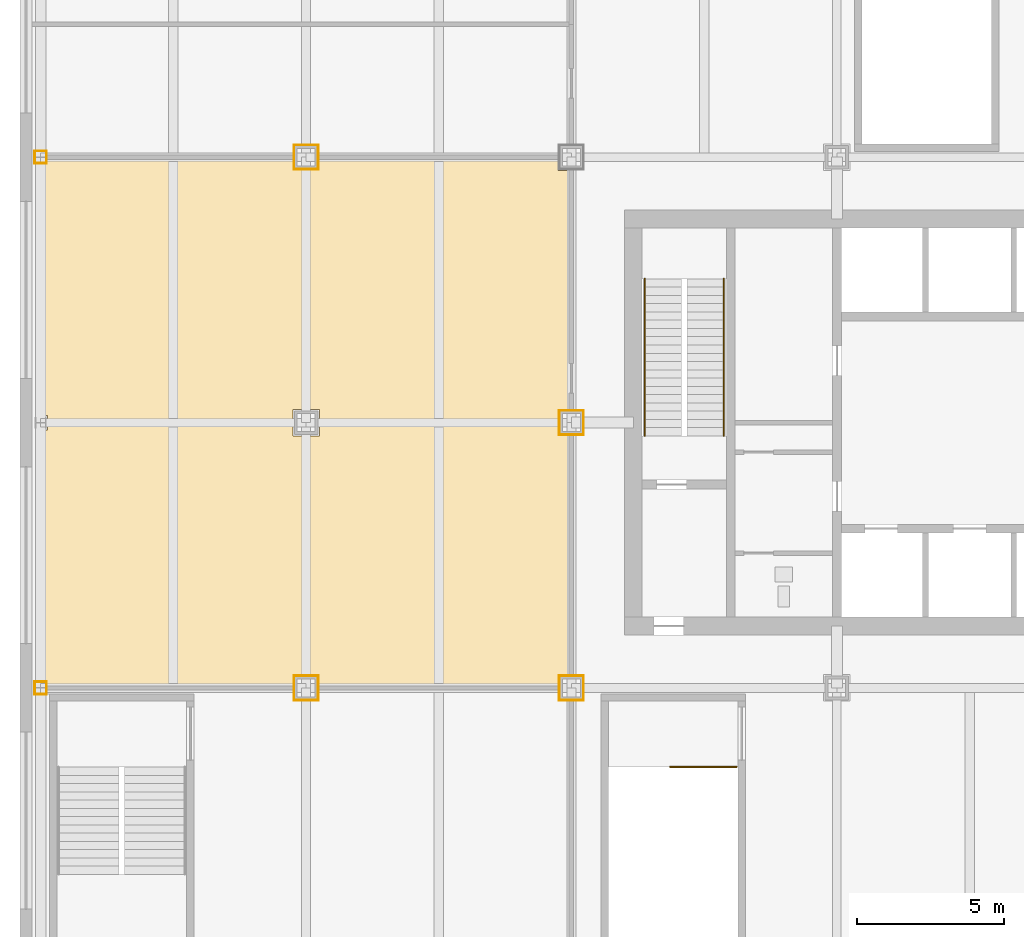
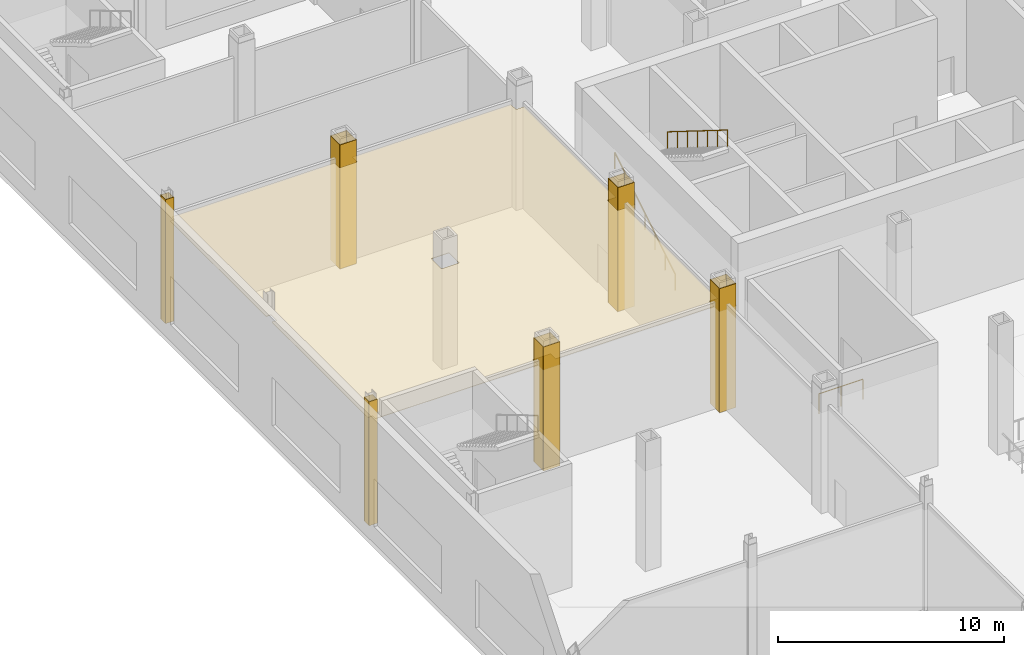
# One storey, part 24 of 32: 25 coverings, 3 railings.
"""IFC4 building model written with IfcOpenShell, lengths in metres."""

from ifc_helpers import new_model, si_unit, direction, frame, origin, origin_2d, place, context, subcontext, project, spatial, polyline, rectangle, circle, outline, extrude, material, layer, layer_set, type_object, element, save


model = new_model("IFC4")

# Units and contexts
model_context = context("Model", 3, precision=1e-05, world=origin(), true_north=direction((0.0, 1.0)))
body_context = subcontext(model_context, "Body", "Model", "MODEL_VIEW")
ifc_project = project(units=[si_unit("LENGTHUNIT", "METRE"), si_unit("AREAUNIT", "SQUARE_METRE"), si_unit("VOLUMEUNIT", "CUBIC_METRE"), si_unit("PLANEANGLEUNIT", "RADIAN"), si_unit("MASSUNIT", "GRAM", prefix="KILO")], contexts=[model_context])

# Site, building, storey
site_placement = place(None, origin())
site = spatial("IfcSite", under=ifc_project, at=site_placement, CompositionType="ELEMENT")
building_placement = place(site_placement, origin())
building = spatial("IfcBuilding", under=site, at=building_placement, Name="Loomwork Tower", CompositionType="ELEMENT")
storey_placement = place(building_placement, frame((0.0, 0.0, 16.0)))
storey = spatial("IfcBuildingStorey", under=building, at=storey_placement, Name="L03", CompositionType="ELEMENT", Elevation=16.0)

# Coverings
ifc_material_1 = material(Name="Two-hour fire-rated gypsum board casing")
ifc_layer_1 = layer(ifc_material_1, 0.02490234375)
ifc_layer_set_1 = layer_set([ifc_layer_1], Name="Column fire casing 25")
covering_type_1 = type_object("IfcCoveringType", Name="Column fire casing 25", PredefinedType="CLADDING", material=ifc_layer_set_1)
for number, where, z_axis, x_axis, name in (
    (1, (-9.0, 9.209228515625, 0.0), (0.0, 0.0, 1.0), (1.0, 0.0, 0.0), "Column casing -9 9 L03"),
    (2, (-9.0, 8.790771484375, 0.0), (0.0, 0.0, 1.0), (1.0, 0.0, 0.0), "Column casing -9 9 L03"),
):
    element("IfcCovering", number, at=place(storey_placement, frame(where, z_axis=z_axis, x_axis=x_axis)), inside=storey, type_object=covering_type_1, Name=name, PredefinedType="CLADDING", context=body_context, shape_type="SweptSolid", body=[
        extrude(rectangle(XDim=0.42578125, YDim=0.02490234375, at=origin_2d()), origin(), (0.0, 0.0, 1.0), 6.699951171875),
    ])
for number, where, z_axis, x_axis, name in (
    (3, (-8.799560546875, 9.0, 0.0), (0.0, 0.0, 1.0), (1.0, 0.0, 0.0), "Column casing -9 9 L03"),
    (4, (-9.200439453125, 9.0, 0.0), (0.0, 0.0, 1.0), (1.0, 0.0, 0.0), "Column casing -9 9 L03"),
):
    element("IfcCovering", number, at=place(storey_placement, frame(where, z_axis=z_axis, x_axis=x_axis)), inside=storey, type_object=covering_type_1, Name=name, PredefinedType="CLADDING", context=body_context, shape_type="SweptSolid", body=[
        extrude(rectangle(XDim=0.02490234375, YDim=0.393798828125, at=origin_2d()), origin(), (0.0, 0.0, 1.0), 6.699951171875),
    ])
for number, where, z_axis, x_axis, name in (
    (5, (-9.0, 27.20947265625, 0.0), (0.0, 0.0, 1.0), (1.0, 0.0, 0.0), "Column casing -9 27 L03"),
    (6, (-9.0, 26.79052734375, 0.0), (0.0, 0.0, 1.0), (1.0, 0.0, 0.0), "Column casing -9 27 L03"),
):
    element("IfcCovering", number, at=place(storey_placement, frame(where, z_axis=z_axis, x_axis=x_axis)), inside=storey, type_object=covering_type_1, Name=name, PredefinedType="CLADDING", context=body_context, shape_type="SweptSolid", body=[
        extrude(rectangle(XDim=0.42578125, YDim=0.02490234375, at=origin_2d()), origin(), (0.0, 0.0, 1.0), 6.699951171875),
    ])
for number, where, z_axis, x_axis, name in (
    (7, (-8.799560546875, 27.0, 0.0), (0.0, 0.0, 1.0), (1.0, 0.0, 0.0), "Column casing -9 27 L03"),
    (8, (-9.200439453125, 27.0, 0.0), (0.0, 0.0, 1.0), (1.0, 0.0, 0.0), "Column casing -9 27 L03"),
):
    element("IfcCovering", number, at=place(storey_placement, frame(where, z_axis=z_axis, x_axis=x_axis)), inside=storey, type_object=covering_type_1, Name=name, PredefinedType="CLADDING", context=body_context, shape_type="SweptSolid", body=[
        extrude(rectangle(XDim=0.02490234375, YDim=0.393798828125, at=origin_2d()), origin(), (0.0, 0.0, 1.0), 6.699951171875),
    ])
for number, where, z_axis, x_axis, name in (
    (9, (0.0, 9.41259765625, 0.0), (0.0, 0.0, 1.0), (1.0, 0.0, 0.0), "Column casing 0 9 L03"),
    (10, (0.0, 8.58740234375, 0.0), (0.0, 0.0, 1.0), (1.0, 0.0, 0.0), "Column casing 0 9 L03"),
):
    element("IfcCovering", number, at=place(storey_placement, frame(where, z_axis=z_axis, x_axis=x_axis)), inside=storey, type_object=covering_type_1, Name=name, PredefinedType="CLADDING", context=body_context, shape_type="SweptSolid", body=[
        extrude(rectangle(XDim=0.85009765625, YDim=0.02490234375, at=origin_2d()), origin(), (0.0, 0.0, 1.0), 6.699951171875),
    ])
for number, where, z_axis, x_axis, name in (
    (11, (0.41259765625, 9.0, 0.0), (0.0, 0.0, 1.0), (1.0, 0.0, 0.0), "Column casing 0 9 L03"),
    (12, (-0.41259765625, 9.0, 0.0), (0.0, 0.0, 1.0), (1.0, 0.0, 0.0), "Column casing 0 9 L03"),
):
    element("IfcCovering", number, at=place(storey_placement, frame(where, z_axis=z_axis, x_axis=x_axis)), inside=storey, type_object=covering_type_1, Name=name, PredefinedType="CLADDING", context=body_context, shape_type="SweptSolid", body=[
        extrude(rectangle(XDim=0.02490234375, YDim=0.800048828125, at=origin_2d()), origin(), (0.0, 0.0, 1.0), 6.699951171875),
    ])
for number, where, z_axis, x_axis, name in (
    (13, (0.0, 27.41259765625, 0.0), (0.0, 0.0, 1.0), (1.0, 0.0, 0.0), "Column casing 0 27 L03"),
    (14, (0.0, 26.58740234375, 0.0), (0.0, 0.0, 1.0), (1.0, 0.0, 0.0), "Column casing 0 27 L03"),
):
    element("IfcCovering", number, at=place(storey_placement, frame(where, z_axis=z_axis, x_axis=x_axis)), inside=storey, type_object=covering_type_1, Name=name, PredefinedType="CLADDING", context=body_context, shape_type="SweptSolid", body=[
        extrude(rectangle(XDim=0.85009765625, YDim=0.02490234375, at=origin_2d()), origin(), (0.0, 0.0, 1.0), 6.699951171875),
    ])
for number, where, z_axis, x_axis, name in (
    (15, (0.41259765625, 27.0, 0.0), (0.0, 0.0, 1.0), (1.0, 0.0, 0.0), "Column casing 0 27 L03"),
    (16, (-0.41259765625, 27.0, 0.0), (0.0, 0.0, 1.0), (1.0, 0.0, 0.0), "Column casing 0 27 L03"),
):
    element("IfcCovering", number, at=place(storey_placement, frame(where, z_axis=z_axis, x_axis=x_axis)), inside=storey, type_object=covering_type_1, Name=name, PredefinedType="CLADDING", context=body_context, shape_type="SweptSolid", body=[
        extrude(rectangle(XDim=0.02490234375, YDim=0.800048828125, at=origin_2d()), origin(), (0.0, 0.0, 1.0), 6.699951171875),
    ])
for number, where, z_axis, x_axis, name in (
    (17, (9.0, 9.41259765625, 0.0), (0.0, 0.0, 1.0), (1.0, 0.0, 0.0), "Column casing 9 9 L03"),
    (18, (9.0, 8.58740234375, 0.0), (0.0, 0.0, 1.0), (1.0, 0.0, 0.0), "Column casing 9 9 L03"),
):
    element("IfcCovering", number, at=place(storey_placement, frame(where, z_axis=z_axis, x_axis=x_axis)), inside=storey, type_object=covering_type_1, Name=name, PredefinedType="CLADDING", context=body_context, shape_type="SweptSolid", body=[
        extrude(rectangle(XDim=0.85009765625, YDim=0.02490234375, at=origin_2d()), origin(), (0.0, 0.0, 1.0), 6.699951171875),
    ])
for number, where, z_axis, x_axis, name in (
    (19, (9.41259765625, 9.0, 0.0), (0.0, 0.0, 1.0), (1.0, 0.0, 0.0), "Column casing 9 9 L03"),
    (20, (8.58740234375, 9.0, 0.0), (0.0, 0.0, 1.0), (1.0, 0.0, 0.0), "Column casing 9 9 L03"),
):
    element("IfcCovering", number, at=place(storey_placement, frame(where, z_axis=z_axis, x_axis=x_axis)), inside=storey, type_object=covering_type_1, Name=name, PredefinedType="CLADDING", context=body_context, shape_type="SweptSolid", body=[
        extrude(rectangle(XDim=0.02490234375, YDim=0.800048828125, at=origin_2d()), origin(), (0.0, 0.0, 1.0), 6.699951171875),
    ])
for number, where, z_axis, x_axis, name in (
    (21, (9.0, 18.41259765625, 0.0), (0.0, 0.0, 1.0), (1.0, 0.0, 0.0), "Column casing 9 18 L03"),
    (22, (9.0, 17.58740234375, 0.0), (0.0, 0.0, 1.0), (1.0, 0.0, 0.0), "Column casing 9 18 L03"),
):
    element("IfcCovering", number, at=place(storey_placement, frame(where, z_axis=z_axis, x_axis=x_axis)), inside=storey, type_object=covering_type_1, Name=name, PredefinedType="CLADDING", context=body_context, shape_type="SweptSolid", body=[
        extrude(rectangle(XDim=0.85009765625, YDim=0.02490234375, at=origin_2d()), origin(), (0.0, 0.0, 1.0), 6.699951171875),
    ])
for number, where, z_axis, x_axis, name in (
    (23, (9.41259765625, 18.0, 0.0), (0.0, 0.0, 1.0), (1.0, 0.0, 0.0), "Column casing 9 18 L03"),
    (24, (8.58740234375, 18.0, 0.0), (0.0, 0.0, 1.0), (1.0, 0.0, 0.0), "Column casing 9 18 L03"),
):
    element("IfcCovering", number, at=place(storey_placement, frame(where, z_axis=z_axis, x_axis=x_axis)), inside=storey, type_object=covering_type_1, Name=name, PredefinedType="CLADDING", context=body_context, shape_type="SweptSolid", body=[
        extrude(rectangle(XDim=0.02490234375, YDim=0.800048828125, at=origin_2d()), origin(), (0.0, 0.0, 1.0), 6.699951171875),
    ])

# Railings
ifc_material_2 = material(Name="Stainless steel and laminated glass guard", Category="steel")
railing_type_1 = type_object("IfcRailingType", Name="Guard 1100", PredefinedType="GUARDRAIL", material=ifc_material_2)
railing_1_placement = place(storey_placement, frame((12.35009765625, 6.320068359375, 0.0)))
element("IfcRailing", 25, at=railing_1_placement, inside=storey, type_object=railing_type_1, Name="Stair PS12 top landing guard", PredefinedType="GUARDRAIL", context=body_context, shape_type="SweptSolid", body=[
    extrude(circle(Radius=0.02392578125, at=origin_2d()), frame((0.0, 0.0, 1.076171875), z_axis=(1.0, 0.0, 0.0), x_axis=(0.0, 1.0, 0.0)), (0.0, 0.0, 1.0), 2.25),
    extrude(circle(Radius=0.02099609375, at=origin_2d()), origin(), (0.0, 0.0, 1.0), 1.052001953125),
    extrude(circle(Radius=0.02099609375, at=origin_2d()), frame((1.125, 0.0, 0.0)), (0.0, 0.0, 1.0), 1.052001953125),
    extrude(circle(Radius=0.02099609375, at=origin_2d()), frame((2.25, 0.0, 0.0)), (0.0, 0.0, 1.0), 1.052001953125),
])
ifc_material_3 = material(Name="Stainless steel handrail", Category="steel")
railing_type_2 = type_object("IfcRailingType", Name="Handrail 900", PredefinedType="HANDRAIL", material=ifc_material_3)
railing_2_placement = place(storey_placement, frame((11.485107421875, 17.550048828125, 0.175048828125)))
element("IfcRailing", 26, at=railing_2_placement, inside=storey, type_object=railing_type_2, Name="Stair A handrail flight 1 L03", PredefinedType="HANDRAIL", context=body_context, shape_type="SweptSolid", body=[
    extrude(circle(Radius=0.02392578125, at=origin_2d()), frame((0.0, 0.0, 0.8759765625), z_axis=(0.0, 0.848004862711, 0.52998844593), x_axis=(-1.0, 0.0, 0.0)), (0.0, 0.0, 1.0), 6.273681640625),
    extrude(circle(Radius=0.02099609375, at=origin_2d()), origin(), (0.0, 0.0, 1.0), 0.851806640625),
    extrude(circle(Radius=0.02099609375, at=origin_2d()), frame((0.0, 0.88671875, 0.55419921875)), (0.0, 0.0, 1.0), 0.851806640625),
    extrude(circle(Radius=0.02099609375, at=origin_2d()), frame((0.0, 1.7734375, 1.1083984375)), (0.0, 0.0, 1.0), 0.851806640625),
    extrude(circle(Radius=0.02099609375, at=origin_2d()), frame((0.0, 2.66015625, 1.66259765625)), (0.0, 0.0, 1.0), 0.851806640625),
    extrude(circle(Radius=0.02099609375, at=origin_2d()), frame((0.0, 3.546630859375, 2.216552734375)), (0.0, 0.0, 1.0), 0.851806640625),
    extrude(circle(Radius=0.02099609375, at=origin_2d()), frame((0.0, 4.433349609375, 2.770751953125)), (0.0, 0.0, 1.0), 0.851806640625),
    extrude(circle(Radius=0.02099609375, at=origin_2d()), frame((0.0, 5.320068359375, 3.324951171875)), (0.0, 0.0, 1.0), 0.851806640625),
])
railing_3_placement = place(storey_placement, frame((14.1650390625, 22.8701171875, 3.675048828125)))
element("IfcRailing", 27, at=railing_3_placement, inside=storey, type_object=railing_type_2, Name="Stair A handrail flight 2 L03", PredefinedType="HANDRAIL", context=body_context, shape_type="SweptSolid", body=[
    extrude(circle(Radius=0.02392578125, at=origin_2d()), frame((0.0, 0.0, 0.8759765625), z_axis=(0.0, -0.848004862711, 0.52998844593), x_axis=(1.0, 0.0, 0.0)), (0.0, 0.0, 1.0), 6.273681640625),
    extrude(circle(Radius=0.02099609375, at=origin_2d()), origin(), (0.0, 0.0, 1.0), 0.851806640625),
    extrude(circle(Radius=0.02099609375, at=origin_2d()), frame((0.0, -0.88671875, 0.55419921875)), (0.0, 0.0, 1.0), 0.851806640625),
    extrude(circle(Radius=0.02099609375, at=origin_2d()), frame((0.0, -1.7734375, 1.1083984375)), (0.0, 0.0, 1.0), 0.851806640625),
    extrude(circle(Radius=0.02099609375, at=origin_2d()), frame((0.0, -2.66015625, 1.66259765625)), (0.0, 0.0, 1.0), 0.851806640625),
    extrude(circle(Radius=0.02099609375, at=origin_2d()), frame((0.0, -3.546630859375, 2.216552734375)), (0.0, 0.0, 1.0), 0.851806640625),
    extrude(circle(Radius=0.02099609375, at=origin_2d()), frame((0.0, -4.433349609375, 2.770751953125)), (0.0, 0.0, 1.0), 0.851806640625),
    extrude(circle(Radius=0.02099609375, at=origin_2d()), frame((0.0, -5.320068359375, 3.324951171875)), (0.0, 0.0, 1.0), 0.851806640625),
])

# Covering
ifc_material_4 = material(Name="Mineral fibre acoustic tile on suspension grid")
ifc_layer_2 = layer(ifc_material_4, 0.02490234375)
ifc_layer_set_2 = layer_set([ifc_layer_2], Name="Suspended acoustic ceiling")
covering_type_2 = type_object("IfcCoveringType", Name="Suspended acoustic ceiling", PredefinedType="CEILING", material=ifc_layer_set_2)
covering_placement = place(storey_placement, frame((0.0, 0.0, 5.47509765625)))
element("IfcCovering", 28, at=covering_placement, inside=storey, type_object=covering_type_2, Name="Ceiling Meeting room 303 L03", PredefinedType="CEILING", context=body_context, shape_type="SweptSolid", body=[
    extrude(outline(polyline([(-0.449951171875, 27.0), (-0.449951171875, 26.550048828125), (0.449951171875, 26.550048828125), (0.449951171875, 27.0), (8.550048828125, 27.0), (8.550048828125, 26.550048828125), (9.0, 26.550048828125), (9.0, 18.449951171875), (8.550048828125, 18.449951171875), (8.550048828125, 17.550048828125), (9.0, 17.550048828125), (9.0, 9.449951171875), (8.550048828125, 9.449951171875), (8.550048828125, 9.0), (0.449951171875, 9.0), (0.449951171875, 9.449951171875), (-0.449951171875, 9.449951171875), (-0.449951171875, 9.0), (-8.761962890625, 9.0), (-8.761962890625, 9.246826171875), (-9.0, 9.246826171875), (-9.0, 17.753173828125), (-8.761962890625, 17.753173828125), (-8.761962890625, 18.246826171875), (-9.0, 18.246826171875), (-9.0, 26.753173828125), (-8.761962890625, 26.753173828125), (-8.761962890625, 27.0), (-0.449951171875, 27.0)]), holes=[polyline([(-0.449951171875, 17.550048828125), (0.449951171875, 17.550048828125), (0.449951171875, 18.449951171875), (-0.449951171875, 18.449951171875), (-0.449951171875, 17.550048828125)])]), origin(), (0.0, 0.0, 1.0), 0.02490234375),
])

save(model, "model.ifc")
